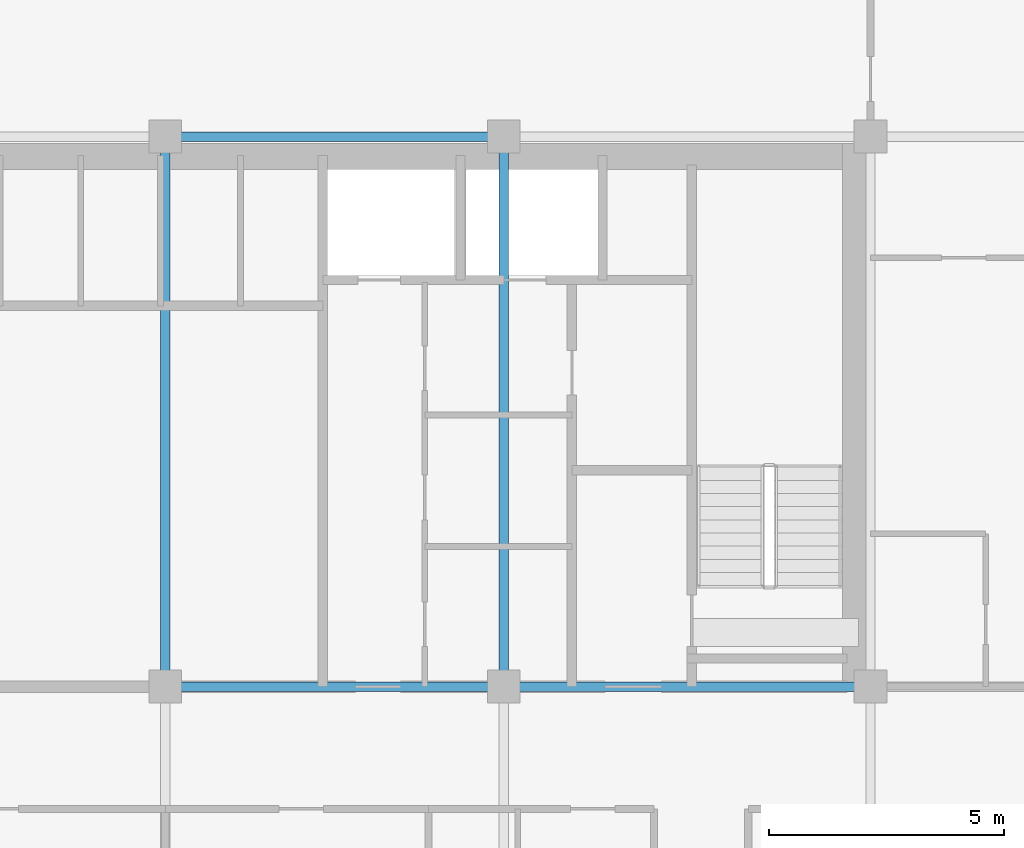
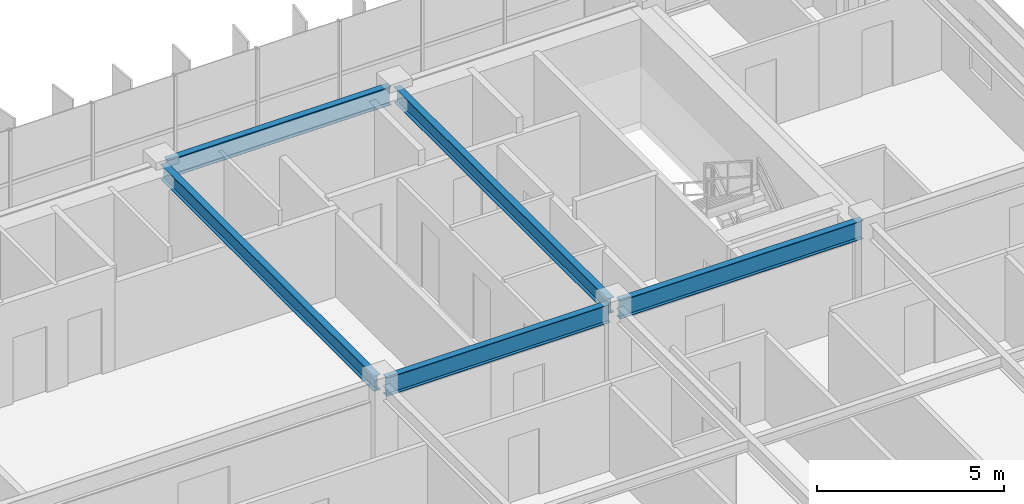
# One storey, part 8 of 21: 5 beams.
"""IFC4 building model written with IfcOpenShell, lengths in metres."""

from ifc_helpers import new_model, si_unit, direction, frame, origin, origin_2d, place, context, subcontext, project, spatial, i_section, extrude, source, transform, mapped, material, material_profile, profile_set, type_object, element, save


model = new_model("IFC4")

# Units and contexts
model_context = context("Model", 3, precision=1e-05, world=origin(), true_north=direction((0.0, 1.0)))
body_context = subcontext(model_context, "Body", "Model", "MODEL_VIEW")
ifc_project = project(units=[si_unit("LENGTHUNIT", "METRE"), si_unit("AREAUNIT", "SQUARE_METRE"), si_unit("VOLUMEUNIT", "CUBIC_METRE"), si_unit("PLANEANGLEUNIT", "RADIAN"), si_unit("MASSUNIT", "GRAM", prefix="KILO")], contexts=[model_context])

# Site, building, storey
site_placement = place(None, origin())
site = spatial("IfcSite", under=ifc_project, at=site_placement, CompositionType="ELEMENT")
building_placement = place(site_placement, origin())
building = spatial("IfcBuilding", under=site, at=building_placement, Name="Trelvane Seafront Commons", CompositionType="ELEMENT")
storey_placement = place(building_placement, frame((0.0, 0.0, 157.300048828125)))
storey = spatial("IfcBuildingStorey", under=building, at=storey_placement, Name="L41", CompositionType="ELEMENT", Elevation=157.300048828125)

# Beams
ifc_material = material(Name="Steel SM355 (S355)", Category="steel")
ifc_material_profile_1 = material_profile(ifc_material, i_section(OverallWidth=0.199951171875, OverallDepth=0.5, WebThickness=0.010009765625, FlangeThickness=0.01611328125, at=origin_2d()), Name="H-500x200x10x16")
ifc_profile_set_1 = profile_set([ifc_material_profile_1], Name="Steel SM355 (S355)")
beam_type_1 = type_object("IfcBeamType", Name="STR-BM-H500", PredefinedType="BEAM", material=ifc_profile_set_1)
shared_shape_1 = source(origin(), body_context, "Body", "SweptSolid", [
    extrude(i_section(OverallWidth=0.199951171875, OverallDepth=0.5, WebThickness=0.010009765625, FlangeThickness=0.01611328125, at=origin_2d()), origin(), (0.0, 0.0, 1.0), 11.39990234375),
])
for number, where, z_axis, x_axis, name in (
    (1, (43.800048828125, 33.550048828125, 3.099853515625), (0.0, 1.0, 0.0), (-1.0, 0.0, 0.0), "L41 Primary Girder G-43"),
    (2, (51.0, 33.550048828125, 3.099853515625), (0.0, 1.0, 0.0), (-1.0, 0.0, 0.0), "L41 Primary Girder G-46"),
):
    element("IfcBeam", number, at=place(storey_placement, frame(where, z_axis=z_axis, x_axis=x_axis)), inside=storey, type_object=beam_type_1, Name=name, PredefinedType="BEAM", context=body_context, shape_type="MappedRepresentation", body=[
        mapped(shared_shape_1, transform((0.0, 0.0, 0.0), x_axis=(1.0, 0.0, 0.0), y_axis=(0.0, 1.0, 0.0), z_axis=(0.0, 0.0, 1.0), scale=1.0)),
    ])
ifc_material_profile_2 = material_profile(ifc_material, i_section(OverallWidth=0.199951171875, OverallDepth=0.60009765625, WebThickness=0.010986328125, FlangeThickness=0.01708984375, at=origin_2d()), Name="H-600x200x11x17")
ifc_profile_set_2 = profile_set([ifc_material_profile_2], Name="Steel SM355 (S355)")
beam_type_2 = type_object("IfcBeamType", Name="STR-SPD-H600", PredefinedType="SPANDREL", material=ifc_profile_set_2)
shared_shape_2 = source(origin(), body_context, "Body", "SweptSolid", [
    extrude(i_section(OverallWidth=0.199951171875, OverallDepth=0.60009765625, WebThickness=0.010986328125, FlangeThickness=0.01708984375, at=origin_2d()), origin(), (0.0, 0.0, 1.0), 7.5),
])
beam_placement = place(storey_placement, frame((51.14990234375, 33.39990234375, 3.050048828125), z_axis=(1.0, 0.0, 0.0), x_axis=(0.0, 1.0, 0.0)))
element("IfcBeam", 3, at=beam_placement, inside=storey, type_object=beam_type_2, Name="L41 Primary Girder G-20", PredefinedType="SPANDREL", context=body_context, shape_type="MappedRepresentation", body=[
    mapped(shared_shape_2, transform((0.0, 0.0, 0.0), x_axis=(1.0, 0.0, 0.0), y_axis=(0.0, 1.0, 0.0), z_axis=(0.0, 0.0, 1.0), scale=1.0)),
])
shared_shape_3 = source(origin(), body_context, "Body", "SweptSolid", [
    extrude(i_section(OverallWidth=0.199951171875, OverallDepth=0.60009765625, WebThickness=0.010986328125, FlangeThickness=0.01708984375, at=origin_2d()), origin(), (0.0, 0.0, 1.0), 6.900146484375),
])
for number, where, z_axis, x_axis, name in (
    (4, (43.949951171875, 33.39990234375, 3.050048828125), (1.0, 0.0, 0.0), (0.0, 1.0, 0.0), "L41 Primary Girder G-19"),
    (5, (43.949951171875, 45.10009765625, 3.050048828125), (1.0, 0.0, 0.0), (0.0, 1.0, 0.0), "L41 Primary Girder G-26"),
):
    element("IfcBeam", number, at=place(storey_placement, frame(where, z_axis=z_axis, x_axis=x_axis)), inside=storey, type_object=beam_type_2, Name=name, PredefinedType="SPANDREL", context=body_context, shape_type="MappedRepresentation", body=[
        mapped(shared_shape_3, transform((0.0, 0.0, 0.0), x_axis=(1.0, 0.0, 0.0), y_axis=(0.0, 1.0, 0.0), z_axis=(0.0, 0.0, 1.0), scale=1.0)),
    ])

save(model, "model.ifc")
